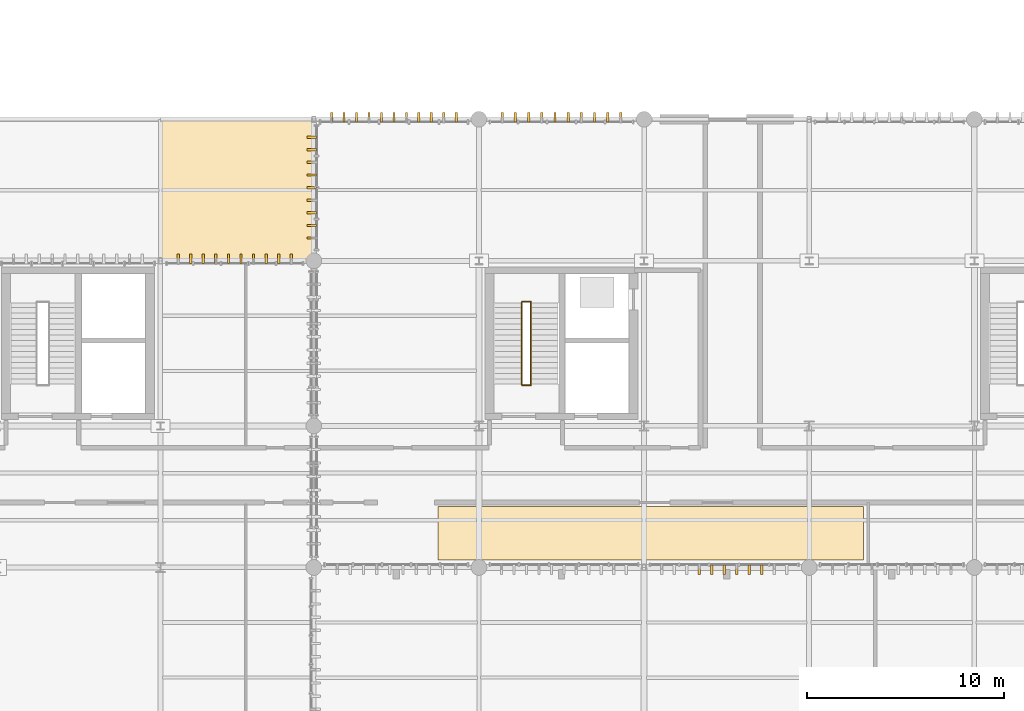
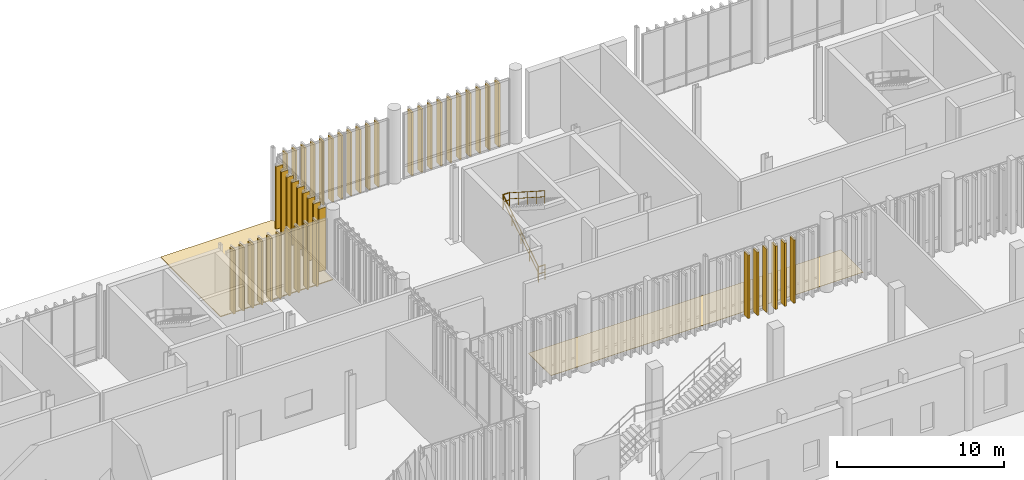
# One storey, part 104 of 112: 48 coverings, 4 railings, 1 element without a shape of its own.
"""IFC4 building model written with IfcOpenShell, lengths in metres."""

from ifc_helpers import new_model, si_unit, direction, frame, frame_2d, origin_with_axes, origin_2d_with_axis, place, context, subcontext, project, spatial, polyline, rectangle, circle, outline, extrude, material, type_object, element, aggregate, save


model = new_model("IFC4")

# Units and contexts
model_context = context("Model", 3, precision=1e-05, world=origin_with_axes(), true_north=direction((0.0, 1.0)))
body_context = subcontext(model_context, "Body", "Model", "MODEL_VIEW")
ifc_project = project(units=[si_unit("LENGTHUNIT", "METRE"), si_unit("AREAUNIT", "SQUARE_METRE"), si_unit("VOLUMEUNIT", "CUBIC_METRE"), si_unit("PLANEANGLEUNIT", "RADIAN"), si_unit("MASSUNIT", "GRAM", prefix="KILO"), si_unit("THERMODYNAMICTEMPERATUREUNIT", "KELVIN")], contexts=[model_context])

# Site, building, storey
site_placement = place(None, origin_with_axes())
site = spatial("IfcSite", under=ifc_project, at=site_placement, CompositionType="ELEMENT")
building_placement = place(site_placement, origin_with_axes())
building = spatial("IfcBuilding", under=site, at=building_placement, Name="Montbau Bow Law Courts", CompositionType="ELEMENT")
storey_placement = place(building_placement, origin_with_axes())
storey = spatial("IfcBuildingStorey", under=building, at=storey_placement, Name="L00", CompositionType="ELEMENT", Elevation=0.0)

# Coverings
ifc_material_1 = material(Name="Honed Manitoba Tyndall Limestone Concourse Flooring", Category="masonry")
covering_type_1 = type_object("IfcCoveringType", Name="CV-FLR-01", PredefinedType="FLOORING", material=ifc_material_1)
covering_1_placement = place(None, origin_with_axes())
element("IfcCovering", 1, at=covering_1_placement, inside=storey, type_object=covering_type_1, Name="FLR-L00-03:cov_3538", PredefinedType="FLOORING", context=body_context, shape_type="SweptSolid", body=[
    extrude(outline(polyline([(53.11, 39.37), (53.11, 42.09), (74.758, 42.09), (74.758, 39.37), (53.11, 39.37)])), origin_with_axes(), (0.0, 0.0, 1.0), 0.025),
])
ifc_material_2 = material(Name="Freeze-Thaw Glazed Warm Cream Ceramic Vertical Louvre", Category="masonry")
covering_type_2 = type_object("IfcCoveringType", Name="CV-LVR-CRM", PredefinedType="CLADDING", material=ifc_material_2)
for number, where, z_axis, x_axis, name in (
    (2, (66.407, 39.13, 0.0), (-1.0, 0.0, 0.0), (0.0, -1.0, 0.0), "CLV-L00-1108:cov_1153"),
    (3, (67.042, 39.13, 0.0), (-1.0, 0.0, 0.0), (0.0, -1.0, 0.0), "CLV-L00-1109:cov_1154"),
    (4, (67.676, 39.13, 0.0), (-1.0, 0.0, 0.0), (0.0, -1.0, 0.0), "CLV-L00-1110:cov_1155"),
    (5, (68.311, 39.13, 0.0), (-1.0, 0.0, 0.0), (0.0, -1.0, 0.0), "CLV-L00-1111:cov_1156"),
    (6, (68.946, 39.13, 0.0), (-1.0, 0.0, 0.0), (0.0, -1.0, 0.0), "CLV-L00-1112:cov_1157"),
    (7, (69.581, 39.13, 0.0), (-1.0, 0.0, 0.0), (0.0, -1.0, 0.0), "CLV-L00-1113:cov_1158"),
    (8, (47.703, 61.67, 0.0), (1.0, 0.0, 0.0), (0.0, 1.0, 0.0), "CLV-L00-1148:cov_1193"),
    (9, (48.338, 61.67, 0.0), (1.0, 0.0, 0.0), (0.0, 1.0, 0.0), "CLV-L00-1149:cov_1194"),
    (10, (48.972, 61.67, 0.0), (1.0, 0.0, 0.0), (0.0, 1.0, 0.0), "CLV-L00-1150:cov_1195"),
    (11, (49.607, 61.67, 0.0), (1.0, 0.0, 0.0), (0.0, 1.0, 0.0), "CLV-L00-1151:cov_1196"),
    (12, (50.242, 61.67, 0.0), (1.0, 0.0, 0.0), (0.0, 1.0, 0.0), "CLV-L00-1152:cov_1197"),
    (13, (50.877, 61.67, 0.0), (1.0, 0.0, 0.0), (0.0, 1.0, 0.0), "CLV-L00-1153:cov_1198"),
    (14, (51.511, 61.67, 0.0), (1.0, 0.0, 0.0), (0.0, 1.0, 0.0), "CLV-L00-1154:cov_1199"),
    (15, (52.146, 61.67, 0.0), (1.0, 0.0, 0.0), (0.0, 1.0, 0.0), "CLV-L00-1155:cov_1200"),
    (16, (52.781, 61.67, 0.0), (1.0, 0.0, 0.0), (0.0, 1.0, 0.0), "CLV-L00-1156:cov_1201"),
    (17, (53.416, 61.67, 0.0), (1.0, 0.0, 0.0), (0.0, 1.0, 0.0), "CLV-L00-1157:cov_1202"),
    (18, (54.05, 61.67, 0.0), (1.0, 0.0, 0.0), (0.0, 1.0, 0.0), "CLV-L00-1158:cov_1203"),
    (19, (56.385, 61.67, 0.0), (1.0, 0.0, 0.0), (0.0, 1.0, 0.0), "CLV-L00-1159:cov_1204"),
    (20, (57.055, 61.67, 0.0), (1.0, 0.0, 0.0), (0.0, 1.0, 0.0), "CLV-L00-1160:cov_1205"),
    (21, (57.725, 61.67, 0.0), (1.0, 0.0, 0.0), (0.0, 1.0, 0.0), "CLV-L00-1161:cov_1206"),
    (22, (58.395, 61.67, 0.0), (1.0, 0.0, 0.0), (0.0, 1.0, 0.0), "CLV-L00-1162:cov_1207"),
    (23, (59.065, 61.67, 0.0), (1.0, 0.0, 0.0), (0.0, 1.0, 0.0), "CLV-L00-1163:cov_1208"),
    (24, (59.735, 61.67, 0.0), (1.0, 0.0, 0.0), (0.0, 1.0, 0.0), "CLV-L00-1164:cov_1209"),
    (25, (60.405, 61.67, 0.0), (1.0, 0.0, 0.0), (0.0, 1.0, 0.0), "CLV-L00-1165:cov_1210"),
    (26, (61.075, 61.67, 0.0), (1.0, 0.0, 0.0), (0.0, 1.0, 0.0), "CLV-L00-1166:cov_1211"),
    (27, (61.745, 61.67, 0.0), (1.0, 0.0, 0.0), (0.0, 1.0, 0.0), "CLV-L00-1167:cov_1212"),
    (28, (62.415, 61.67, 0.0), (1.0, 0.0, 0.0), (0.0, 1.0, 0.0), "CLV-L00-1168:cov_1213"),
    (29, (46.93, 55.757, 0.0), (0.0, 1.0, 0.0), (-1.0, 0.0, 0.0), "CLV-L00-1205:cov_1250"),
    (30, (46.93, 56.398, 0.0), (0.0, 1.0, 0.0), (-1.0, 0.0, 0.0), "CLV-L00-1206:cov_1251"),
    (31, (46.93, 57.04, 0.0), (0.0, 1.0, 0.0), (-1.0, 0.0, 0.0), "CLV-L00-1207:cov_1252"),
    (32, (46.93, 57.682, 0.0), (0.0, 1.0, 0.0), (-1.0, 0.0, 0.0), "CLV-L00-1208:cov_1253"),
    (33, (46.93, 58.323, 0.0), (0.0, 1.0, 0.0), (-1.0, 0.0, 0.0), "CLV-L00-1209:cov_1254"),
    (34, (46.93, 58.965, 0.0), (0.0, 1.0, 0.0), (-1.0, 0.0, 0.0), "CLV-L00-1210:cov_1255"),
    (35, (46.93, 59.607, 0.0), (0.0, 1.0, 0.0), (-1.0, 0.0, 0.0), "CLV-L00-1211:cov_1256"),
    (36, (46.93, 60.249, 0.0), (0.0, 1.0, 0.0), (-1.0, 0.0, 0.0), "CLV-L00-1212:cov_1257"),
    (37, (46.93, 60.89, 0.0), (0.0, 1.0, 0.0), (-1.0, 0.0, 0.0), "CLV-L00-1213:cov_1258"),
):
    element("IfcCovering", number, at=place(None, frame(where, z_axis=z_axis, x_axis=x_axis)), inside=storey, type_object=covering_type_2, Name=name, PredefinedType="CLADDING", context=body_context, shape_type="SweptSolid", body=[
        extrude(rectangle(XDim=0.48, YDim=4.64, at=frame_2d((0.24, 2.32), x_axis=(1.0, 0.0))), frame((0.0, 0.0, -0.06), z_axis=(0.0, 0.0, 1.0), x_axis=(1.0, 0.0, 0.0)), (0.0, 0.0, 1.0), 0.12),
    ])
ifc_material_3 = material(Name="Freeze-Thaw Glazed Terracotta-Red Ceramic Vertical Louvre", Category="masonry")
covering_type_3 = type_object("IfcCoveringType", Name="CV-LVR-RED", PredefinedType="CLADDING", material=ifc_material_3)
for number, where, z_axis, x_axis, name in (
    (38, (39.906, 54.47, 0.0), (1.0, 0.0, 0.0), (0.0, 1.0, 0.0), "CLV-L00-0092:cov_0137"),
    (39, (40.544, 54.47, 0.0), (1.0, 0.0, 0.0), (0.0, 1.0, 0.0), "CLV-L00-0093:cov_0138"),
    (40, (41.182, 54.47, 0.0), (1.0, 0.0, 0.0), (0.0, 1.0, 0.0), "CLV-L00-0094:cov_0139"),
    (41, (41.82, 54.47, 0.0), (1.0, 0.0, 0.0), (0.0, 1.0, 0.0), "CLV-L00-0095:cov_0140"),
    (42, (42.458, 54.47, 0.0), (1.0, 0.0, 0.0), (0.0, 1.0, 0.0), "CLV-L00-0096:cov_0141"),
    (43, (43.095, 54.47, 0.0), (1.0, 0.0, 0.0), (0.0, 1.0, 0.0), "CLV-L00-0097:cov_0142"),
    (44, (43.733, 54.47, 0.0), (1.0, 0.0, 0.0), (0.0, 1.0, 0.0), "CLV-L00-0098:cov_0143"),
    (45, (44.371, 54.47, 0.0), (1.0, 0.0, 0.0), (0.0, 1.0, 0.0), "CLV-L00-0099:cov_0144"),
    (46, (45.009, 54.47, 0.0), (1.0, 0.0, 0.0), (0.0, 1.0, 0.0), "CLV-L00-0100:cov_0145"),
    (47, (45.647, 54.47, 0.0), (1.0, 0.0, 0.0), (0.0, 1.0, 0.0), "CLV-L00-0101:cov_0146"),
):
    element("IfcCovering", number, at=place(None, frame(where, z_axis=z_axis, x_axis=x_axis)), inside=storey, type_object=covering_type_3, Name=name, PredefinedType="CLADDING", context=body_context, shape_type="SweptSolid", body=[
        extrude(rectangle(XDim=0.48, YDim=4.64, at=frame_2d((0.24, 2.32), x_axis=(1.0, 0.0))), frame((0.0, 0.0, -0.06), z_axis=(0.0, 0.0, 1.0), x_axis=(1.0, 0.0, 0.0)), (0.0, 0.0, 1.0), 0.12),
    ])

# Roof, covering
ifc_material_4 = material(Name="Insulated Inverted Membrane Roof", Category="other")
roof_type = type_object("IfcRoofType", Name="RF-FL-01", PredefinedType="FLAT_ROOF", material=ifc_material_4)
roof_placement = place(None, frame((39.004, 54.604, 0.0), z_axis=(0.0, 0.0, 1.0), x_axis=(1.0, 0.0, 0.0)))
roof = element("IfcRoof", 48, at=roof_placement, inside=storey, type_object=roof_type, Name="ROOF-LID-L00-09:rof_0014", PredefinedType="FLAT_ROOF")
ifc_material_5 = material(Name="Standing-Seam Pre-Weathered Zinc Roofing Membrane", Category="steel")
covering_type_4 = type_object("IfcCoveringType", Name="CV-ROF-01", PredefinedType="ROOFING", material=ifc_material_5)
covering_2_placement = place(None, origin_with_axes())
covering_2 = element("IfcCovering", 49, at=covering_2_placement, type_object=covering_type_4, Name="CVR-LID-L00-09:cov_0014", PredefinedType="ROOFING", context=body_context, shape_type="SweptSolid", body=[
    extrude(outline(polyline([(46.796, 61.8), (46.796, 54.604), (39.004, 54.604), (39.004, 61.8), (46.796, 61.8)])), origin_with_axes(), (0.0, 0.0, 1.0), 0.06),
])
aggregate(roof, [covering_2])

# Railings
ifc_material_6 = material(Name="Architectural Bronze-Finished Steel Stair Guard", Category="steel")
railing_type_1 = type_object("IfcRailingType", Name="RL-GRD-1100", PredefinedType="GUARDRAIL", material=ifc_material_6)
railing_1_placement = place(None, origin_with_axes())
element("IfcRailing", 50, at=railing_1_placement, inside=storey, type_object=railing_type_1, Name="SG-ST-P4-L00-ML:rlg_0100", PredefinedType="GUARDRAIL", context=body_context, shape_type="SweptSolid", body=[
    extrude(circle(Radius=0.0225, at=origin_2d_with_axis()), frame((57.385, 52.53, 3.802), z_axis=(1.0, 0.0, 0.0), x_axis=(0.0, 0.0, 1.0)), (0.0, 0.0, 1.0), 0.455),
    extrude(circle(Radius=0.02025, at=origin_2d_with_axis()), frame((57.385, 52.53, 3.272), z_axis=(1.0, 0.0, 0.0), x_axis=(0.0, 0.0, 1.0)), (0.0, 0.0, 1.0), 0.455),
    extrude(circle(Radius=0.02025, at=origin_2d_with_axis()), frame((57.385, 52.53, 2.7), z_axis=(0.0, 0.0, 1.0), x_axis=(1.0, 0.0, 0.0)), (0.0, 0.0, 1.0), 1.07525),
    extrude(circle(Radius=0.02025, at=origin_2d_with_axis()), frame((57.84, 52.53, 2.7), z_axis=(0.0, 0.0, 1.0), x_axis=(1.0, 0.0, 0.0)), (0.0, 0.0, 1.0), 1.07525),
])
railing_2_placement = place(None, origin_with_axes())
element("IfcRailing", 51, at=railing_2_placement, inside=storey, type_object=railing_type_1, Name="SG-ST-P4-L00-BL:rlg_0101", PredefinedType="GUARDRAIL", context=body_context, shape_type="SweptSolid", body=[
    extrude(circle(Radius=0.0225, at=origin_2d_with_axis()), frame((57.385, 48.27, 1.102), z_axis=(1.0, 0.0, 0.0), x_axis=(0.0, 0.0, 1.0)), (0.0, 0.0, 1.0), 0.455),
    extrude(circle(Radius=0.02025, at=origin_2d_with_axis()), frame((57.385, 48.27, 0.572), z_axis=(1.0, 0.0, 0.0), x_axis=(0.0, 0.0, 1.0)), (0.0, 0.0, 1.0), 0.455),
    extrude(circle(Radius=0.02025, at=origin_2d_with_axis()), frame((57.385, 48.27, 0.0), z_axis=(0.0, 0.0, 1.0), x_axis=(1.0, 0.0, 0.0)), (0.0, 0.0, 1.0), 1.07525),
    extrude(circle(Radius=0.02025, at=origin_2d_with_axis()), frame((57.84, 48.27, 0.0), z_axis=(0.0, 0.0, 1.0), x_axis=(1.0, 0.0, 0.0)), (0.0, 0.0, 1.0), 1.07525),
])
ifc_material_7 = material(Name="White-Oak and Stainless Continuous Stair Handrail", Category="steel")
railing_type_2 = type_object("IfcRailingType", Name="RL-HND-0920", PredefinedType="HANDRAIL", material=ifc_material_7)
railing_3_placement = place(None, origin_with_axes())
element("IfcRailing", 52, at=railing_3_placement, inside=storey, type_object=railing_type_2, Name="HR-ST-P4-L00-1:rlg_0102", PredefinedType="HANDRAIL", context=body_context, shape_type="SweptSolid", body=[
    extrude(circle(Radius=0.021, at=origin_2d_with_axis()), frame((57.385, 48.3, 1.102), z_axis=(0.0, 0.841178475, 0.540757591), x_axis=(0.0, -0.540757591, 0.841178475)), (0.0, 0.0, 1.0), 4.992995),
    extrude(circle(Radius=0.0189, at=origin_2d_with_axis()), frame((57.385, 48.3, 0.6584), z_axis=(0.0, 0.841178475, 0.540757591), x_axis=(0.0, -0.540757591, 0.841178475)), (0.0, 0.0, 1.0), 4.992995),
    extrude(circle(Radius=0.0189, at=origin_2d_with_axis()), frame((57.385, 48.3, 0.18), z_axis=(0.0, 0.0, 1.0), x_axis=(1.0, 0.0, 0.0)), (0.0, 0.0, 1.0), 0.8969),
    extrude(circle(Radius=0.0189, at=origin_2d_with_axis()), frame((57.385, 49.35, 0.855), z_axis=(0.0, 0.0, 1.0), x_axis=(1.0, 0.0, 0.0)), (0.0, 0.0, 1.0), 0.8969),
    extrude(circle(Radius=0.0189, at=origin_2d_with_axis()), frame((57.385, 50.4, 1.53), z_axis=(0.0, 0.0, 1.0), x_axis=(1.0, 0.0, 0.0)), (0.0, 0.0, 1.0), 0.8969),
    extrude(circle(Radius=0.0189, at=origin_2d_with_axis()), frame((57.385, 51.45, 2.205), z_axis=(0.0, 0.0, 1.0), x_axis=(1.0, 0.0, 0.0)), (0.0, 0.0, 1.0), 0.8969),
    extrude(circle(Radius=0.0189, at=origin_2d_with_axis()), frame((57.385, 52.5, 2.88), z_axis=(0.0, 0.0, 1.0), x_axis=(1.0, 0.0, 0.0)), (0.0, 0.0, 1.0), 0.8969),
])
railing_4_placement = place(None, origin_with_axes())
element("IfcRailing", 53, at=railing_4_placement, inside=storey, type_object=railing_type_2, Name="HR-ST-P4-L00-2:rlg_0103", PredefinedType="HANDRAIL", context=body_context, shape_type="SweptSolid", body=[
    extrude(circle(Radius=0.021, at=origin_2d_with_axis()), frame((57.84, 52.5, 3.802), z_axis=(0.0, -0.841178475, 0.540757591), x_axis=(0.0, 0.540757591, 0.841178475)), (0.0, 0.0, 1.0), 4.992995),
    extrude(circle(Radius=0.0189, at=origin_2d_with_axis()), frame((57.84, 52.5, 3.3584), z_axis=(0.0, -0.841178475, 0.540757591), x_axis=(0.0, 0.540757591, 0.841178475)), (0.0, 0.0, 1.0), 4.992995),
    extrude(circle(Radius=0.0189, at=origin_2d_with_axis()), frame((57.84, 52.5, 2.88), z_axis=(0.0, 0.0, 1.0), x_axis=(1.0, 0.0, 0.0)), (0.0, 0.0, 1.0), 0.8969),
    extrude(circle(Radius=0.0189, at=origin_2d_with_axis()), frame((57.84, 51.45, 3.555), z_axis=(0.0, 0.0, 1.0), x_axis=(1.0, 0.0, 0.0)), (0.0, 0.0, 1.0), 0.8969),
    extrude(circle(Radius=0.0189, at=origin_2d_with_axis()), frame((57.84, 50.4, 4.23), z_axis=(0.0, 0.0, 1.0), x_axis=(1.0, 0.0, 0.0)), (0.0, 0.0, 1.0), 0.8969),
    extrude(circle(Radius=0.0189, at=origin_2d_with_axis()), frame((57.84, 49.35, 4.905), z_axis=(0.0, 0.0, 1.0), x_axis=(1.0, 0.0, 0.0)), (0.0, 0.0, 1.0), 0.8969),
    extrude(circle(Radius=0.0189, at=origin_2d_with_axis()), frame((57.84, 48.3, 5.58), z_axis=(0.0, 0.0, 1.0), x_axis=(1.0, 0.0, 0.0)), (0.0, 0.0, 1.0), 0.8969),
])

save(model, "model.ifc")
